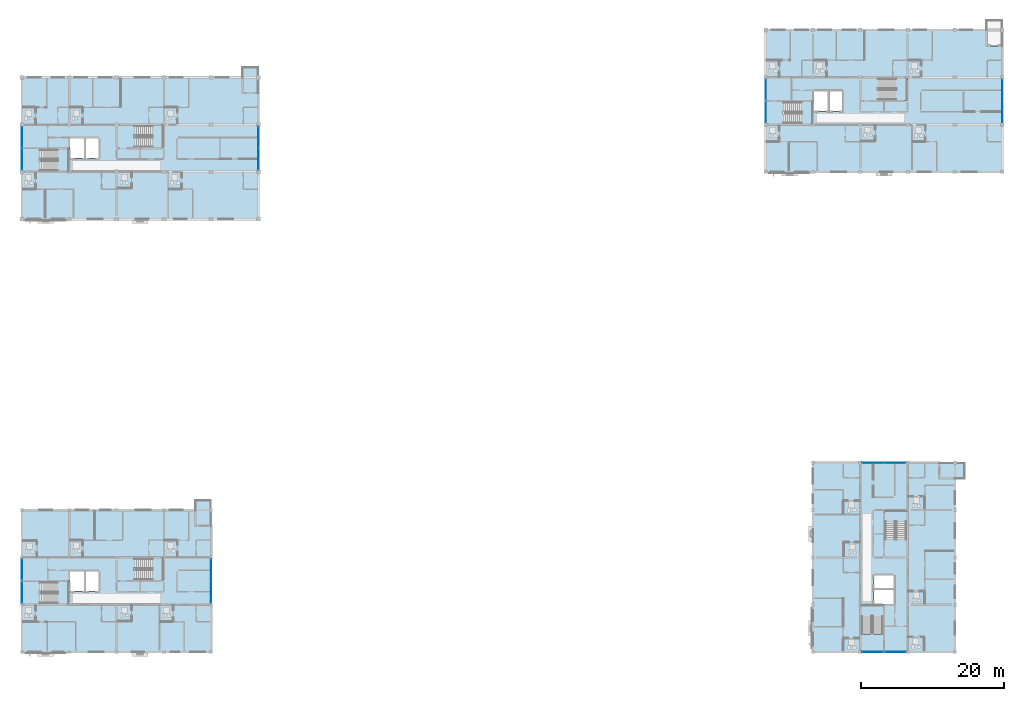
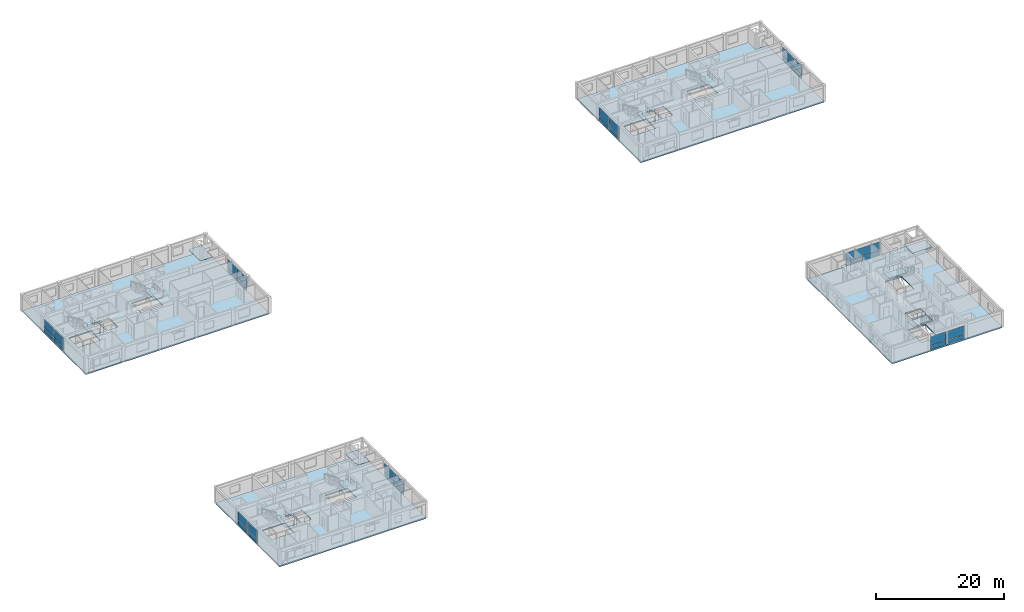
# One storey, part 25 of 53: 32 plates, 15 slabs, 20 elements without a shape of their own.
"""IFC4 building model written with IfcOpenShell, lengths in metres."""

from ifc_helpers import new_model, si_unit, direction, frame, origin, origin_2d, place, context, subcontext, project, spatial, polyline, rectangle, outline, extrude, material, layer, layer_set, type_object, element, aggregate, save


model = new_model("IFC4")

# Units and contexts
model_context = context("Model", 3, precision=1e-05, world=origin(), true_north=direction((0.0, 1.0)))
body_context = subcontext(model_context, "Body", "Model", "MODEL_VIEW")
ifc_project = project(units=[si_unit("LENGTHUNIT", "METRE"), si_unit("AREAUNIT", "SQUARE_METRE"), si_unit("VOLUMEUNIT", "CUBIC_METRE"), si_unit("PLANEANGLEUNIT", "RADIAN"), si_unit("MASSUNIT", "GRAM", prefix="KILO")], contexts=[model_context])

# Site, building, storey
site_placement = place(None, origin())
site = spatial("IfcSite", under=ifc_project, at=site_placement, CompositionType="ELEMENT")
building_placement = place(site_placement, origin())
building = spatial("IfcBuilding", under=site, at=building_placement, Name="Kernevlak Ridge Housing Community", CompositionType="ELEMENT")
storey_placement = place(building_placement, frame((0.0, 0.0, 18.0)))
storey = spatial("IfcBuildingStorey", under=building, at=storey_placement, Name="L05", CompositionType="ELEMENT", Elevation=18.0)

# Curtain wall, plates
ifc_material_1 = material(Name="Aluminium EN AW-6060 anodised and laminated glass", Category="aluminium")
curtain_wall_type_1 = type_object("IfcCurtainWallType", Name="CW-01", PredefinedType="NOTDEFINED", material=ifc_material_1)
curtain_wall_1_placement = place(storey_placement, origin())
curtain_wall_1 = element("IfcCurtainWall", 1, at=curtain_wall_1_placement, inside=storey, type_object=curtain_wall_type_1, Name="Curtain wall CW-01 CW-L05-117", PredefinedType="NOTDEFINED")
ifc_material_2 = material(Name="Aluminium EN AW-5005 enamelled panel", Category="aluminium")
ifc_layer_1 = layer(ifc_material_2, 0.033935546875, Name="Aluminium EN AW-5005 enamelled panel")
ifc_layer_set_1 = layer_set([ifc_layer_1], Name="Aluminium EN AW-5005 enamelled panel")
plate_type_1 = type_object("IfcPlateType", Name="CP-03", PredefinedType="CURTAIN_PANEL", material=ifc_layer_set_1)
plate_1_placement = place(storey_placement, frame((134.376220703125, 42.0, 0.054931640625), z_axis=(0.0, 0.0, 1.0), x_axis=(1.0, 0.0, 0.0)))
plate_1 = element("IfcPlate", 2, at=plate_1_placement, type_object=plate_type_1, Name="CW-01 panel 1.1", PredefinedType="CURTAIN_PANEL", context=body_context, shape_type="SweptSolid", body=[
    extrude(rectangle(XDim=2.992431640625, YDim=0.033935546875, at=origin_2d()), origin(), (0.0, 0.0, 1.0), 0.767578125),
])
plate_2_placement = place(storey_placement, frame((137.423828125, 42.0, 0.054931640625), z_axis=(0.0, 0.0, 1.0), x_axis=(1.0, 0.0, 0.0)))
plate_2 = element("IfcPlate", 3, at=plate_2_placement, type_object=plate_type_1, Name="CW-01 panel 2.1", PredefinedType="CURTAIN_PANEL", context=body_context, shape_type="SweptSolid", body=[
    extrude(rectangle(XDim=2.992431640625, YDim=0.033935546875, at=origin_2d()), origin(), (0.0, 0.0, 1.0), 0.767578125),
])

# Curtain wall, plate
curtain_wall_2_placement = place(storey_placement, origin())
curtain_wall_2 = element("IfcCurtainWall", 4, at=curtain_wall_2_placement, inside=storey, type_object=curtain_wall_type_1, Name="Curtain wall CW-01 CW-L05-155", PredefinedType="NOTDEFINED")
plate_3_placement = place(storey_placement, frame((15.60009765625, 27.10498046875, 0.06494140625), z_axis=(0.0, 0.0, 1.0), x_axis=(0.0, 1.0, 0.0)))
plate_3 = element("IfcPlate", 5, at=plate_3_placement, type_object=plate_type_1, Name="CW-01 panel 1.1", PredefinedType="CURTAIN_PANEL", context=body_context, shape_type="SweptSolid", body=[
    extrude(rectangle(XDim=2.860107421875, YDim=0.033935546875, at=origin_2d()), origin(), (0.0, 0.0, 1.0), 0.75244140625),
])

curtain_wall_3_placement = place(storey_placement, origin())
curtain_wall_3 = element("IfcCurtainWall", 6, at=curtain_wall_3_placement, inside=storey, type_object=curtain_wall_type_1, Name="Curtain wall CW-01 CW-L05-016", PredefinedType="NOTDEFINED")
ifc_layer_2 = layer(ifc_material_2, 0.0380859375, Name="Aluminium EN AW-5005 enamelled panel")
ifc_layer_set_2 = layer_set([ifc_layer_2], Name="Aluminium EN AW-5005 enamelled panel")
plate_type_2 = type_object("IfcPlateType", Name="CP-04", PredefinedType="CURTAIN_PANEL", material=ifc_layer_set_2)
plate_4_placement = place(storey_placement, frame((15.60009765625, 84.33251953125, 0.06005859375), z_axis=(0.0, 0.0, 1.0), x_axis=(0.0, 1.0, 0.0)))
plate_4 = element("IfcPlate", 7, at=plate_4_placement, type_object=plate_type_2, Name="CW-01 panel 1.1", PredefinedType="CURTAIN_PANEL", context=body_context, shape_type="SweptSolid", body=[
    extrude(rectangle(XDim=2.794921875, YDim=0.0380859375, at=origin_2d()), origin(), (0.0, 0.0, 1.0), 0.760009765625),
])

# Curtain wall, plates
curtain_wall_type_2 = type_object("IfcCurtainWallType", Name="CW-03", PredefinedType="NOTDEFINED", material=ifc_material_1)
curtain_wall_4_placement = place(storey_placement, origin())
curtain_wall_4 = element("IfcCurtainWall", 8, at=curtain_wall_4_placement, inside=storey, type_object=curtain_wall_type_2, Name="Curtain wall CW-03 CW-L05-156", PredefinedType="NOTDEFINED")
plate_5_placement = place(storey_placement, frame((42.0, 23.9638671875, 0.054931640625), z_axis=(0.0, 0.0, 1.0), x_axis=(0.0, 1.0, 0.0)))
plate_5 = element("IfcPlate", 9, at=plate_5_placement, type_object=plate_type_2, Name="CW-03 panel 1.1", PredefinedType="CURTAIN_PANEL", context=body_context, shape_type="SweptSolid", body=[
    extrude(rectangle(XDim=3.017578125, YDim=0.0380859375, at=origin_2d()), origin(), (0.0, 0.0, 1.0), 0.767578125),
])
plate_6_placement = place(storey_placement, frame((42.0, 27.0361328125, 0.054931640625), z_axis=(0.0, 0.0, 1.0), x_axis=(0.0, 1.0, 0.0)))
plate_6 = element("IfcPlate", 10, at=plate_6_placement, type_object=plate_type_2, Name="CW-03 panel 2.1", PredefinedType="CURTAIN_PANEL", context=body_context, shape_type="SweptSolid", body=[
    extrude(rectangle(XDim=3.017578125, YDim=0.0380859375, at=origin_2d()), origin(), (0.0, 0.0, 1.0), 0.767578125),
])

# Curtain wall, plate
curtain_wall_type_3 = type_object("IfcCurtainWallType", Name="CW-06", PredefinedType="NOTDEFINED", material=ifc_material_1)
curtain_wall_5_placement = place(storey_placement, origin())
curtain_wall_5 = element("IfcCurtainWall", 11, at=curtain_wall_5_placement, inside=storey, type_object=curtain_wall_type_3, Name="Curtain wall CW-06 CW-L05-017", PredefinedType="NOTDEFINED")
ifc_layer_3 = layer(ifc_material_2, 0.0419921875, Name="Aluminium EN AW-5005 enamelled panel")
ifc_layer_set_3 = layer_set([ifc_layer_3], Name="Aluminium EN AW-5005 enamelled panel")
plate_type_3 = type_object("IfcPlateType", Name="CP-05", PredefinedType="CURTAIN_PANEL", material=ifc_layer_set_3)
plate_7_placement = place(storey_placement, frame((15.60009765625, 87.467529296875, 0.06494140625), z_axis=(0.0, 0.0, 1.0), x_axis=(0.0, 1.0, 0.0)))
plate_7 = element("IfcPlate", 12, at=plate_7_placement, type_object=plate_type_3, Name="CW-06 panel 1.1", PredefinedType="CURTAIN_PANEL", context=body_context, shape_type="SweptSolid", body=[
    extrude(rectangle(XDim=2.784912109375, YDim=0.0419921875, at=origin_2d()), origin(), (0.0, 0.0, 1.0), 0.75244140625),
])

curtain_wall_type_4 = type_object("IfcCurtainWallType", Name="CW-04", PredefinedType="NOTDEFINED", material=ifc_material_1)
curtain_wall_6_placement = place(storey_placement, origin())
curtain_wall_6 = element("IfcCurtainWall", 13, at=curtain_wall_6_placement, inside=storey, type_object=curtain_wall_type_4, Name="Curtain wall CW-04 CW-L05-070", PredefinedType="NOTDEFINED")
plate_8_placement = place(storey_placement, frame((119.39990234375, 90.919921875, 0.06005859375), z_axis=(0.0, 0.0, 1.0), x_axis=(0.0, 1.0, 0.0)))
plate_8 = element("IfcPlate", 14, at=plate_8_placement, type_object=plate_type_3, Name="CW-04 panel 1.1", PredefinedType="CURTAIN_PANEL", context=body_context, shape_type="SweptSolid", body=[
    extrude(rectangle(XDim=2.820068359375, YDim=0.0419921875, at=origin_2d()), origin(), (0.0, 0.0, 1.0), 0.760009765625),
])

# Curtain wall, plates
curtain_wall_type_5 = type_object("IfcCurtainWallType", Name="CW-11", PredefinedType="NOTDEFINED", material=ifc_material_1)
curtain_wall_7_placement = place(storey_placement, origin())
curtain_wall_7 = element("IfcCurtainWall", 15, at=curtain_wall_7_placement, inside=storey, type_object=curtain_wall_type_5, Name="Curtain wall CW-11 CW-L05-018", PredefinedType="NOTDEFINED")
ifc_material_3 = material(Name="Aluminium EN AW-5005 insulated panel", Category="aluminium")
ifc_layer_4 = layer(ifc_material_3, 0.0458984375, Name="Aluminium EN AW-5005 insulated panel")
ifc_layer_set_4 = layer_set([ifc_layer_4], Name="Aluminium EN AW-5005 insulated panel")
plate_type_4 = type_object("IfcPlateType", Name="CP-06", PredefinedType="CURTAIN_PANEL", material=ifc_layer_set_4)
plate_9_placement = place(storey_placement, frame((48.60009765625, 84.4013671875, 0.054931640625), z_axis=(0.0, 0.0, 1.0), x_axis=(0.0, 1.0, 0.0)))
plate_9 = element("IfcPlate", 16, at=plate_9_placement, type_object=plate_type_4, Name="CW-11 panel 1.1", PredefinedType="CURTAIN_PANEL", context=body_context, shape_type="SweptSolid", body=[
    extrude(rectangle(XDim=2.9423828125, YDim=0.0458984375, at=origin_2d()), origin(), (0.0, 0.0, 1.0), 0.767578125),
])
plate_10_placement = place(storey_placement, frame((48.60009765625, 87.398681640625, 0.054931640625), z_axis=(0.0, 0.0, 1.0), x_axis=(0.0, 1.0, 0.0)))
plate_10 = element("IfcPlate", 17, at=plate_10_placement, type_object=plate_type_4, Name="CW-11 panel 2.1", PredefinedType="CURTAIN_PANEL", context=body_context, shape_type="SweptSolid", body=[
    extrude(rectangle(XDim=2.9423828125, YDim=0.0458984375, at=origin_2d()), origin(), (0.0, 0.0, 1.0), 0.767578125),
])

# Curtain wall, plate
curtain_wall_type_6 = type_object("IfcCurtainWallType", Name="CW-09", PredefinedType="NOTDEFINED", material=ifc_material_1)
curtain_wall_8_placement = place(storey_placement, origin())
curtain_wall_8 = element("IfcCurtainWall", 18, at=curtain_wall_8_placement, inside=storey, type_object=curtain_wall_type_6, Name="Curtain wall CW-09 CW-L05-071", PredefinedType="NOTDEFINED")
plate_11_placement = place(storey_placement, frame((119.39990234375, 94.080078125, 0.06494140625), z_axis=(0.0, 0.0, 1.0), x_axis=(0.0, 1.0, 0.0)))
plate_11 = element("IfcPlate", 19, at=plate_11_placement, type_object=plate_type_4, Name="CW-09 panel 1.1", PredefinedType="CURTAIN_PANEL", context=body_context, shape_type="SweptSolid", body=[
    extrude(rectangle(XDim=2.81005859375, YDim=0.0458984375, at=origin_2d()), origin(), (0.0, 0.0, 1.0), 0.75244140625),
])

curtain_wall_type_7 = type_object("IfcCurtainWallType", Name="CW-07", PredefinedType="NOTDEFINED", material=ifc_material_1)
curtain_wall_9_placement = place(storey_placement, origin())
curtain_wall_9 = element("IfcCurtainWall", 20, at=curtain_wall_9_placement, inside=storey, type_object=curtain_wall_type_7, Name="Curtain wall CW-07 CW-L05-115", PredefinedType="NOTDEFINED")
plate_12_placement = place(storey_placement, frame((134.3076171875, 15.60009765625, 0.06005859375), z_axis=(0.0, 0.0, 1.0), x_axis=(1.0, 0.0, 0.0)))
plate_12 = element("IfcPlate", 21, at=plate_12_placement, type_object=plate_type_4, Name="CW-07 panel 1.1", PredefinedType="CURTAIN_PANEL", context=body_context, shape_type="SweptSolid", body=[
    extrude(rectangle(XDim=2.844970703125, YDim=0.0458984375, at=origin_2d()), origin(), (0.0, 0.0, 1.0), 0.760009765625),
])

# Curtain wall, plates
curtain_wall_type_8 = type_object("IfcCurtainWallType", Name="CW-13", PredefinedType="NOTDEFINED", material=ifc_material_1)
curtain_wall_10_placement = place(storey_placement, origin())
curtain_wall_10 = element("IfcCurtainWall", 22, at=curtain_wall_10_placement, inside=storey, type_object=curtain_wall_type_8, Name="Curtain wall CW-13 CW-L05-072", PredefinedType="NOTDEFINED")
ifc_layer_5 = layer(ifc_material_3, 0.050048828125, Name="Aluminium EN AW-5005 insulated panel")
ifc_layer_set_5 = layer_set([ifc_layer_5], Name="Aluminium EN AW-5005 insulated panel")
plate_type_5 = type_object("IfcPlateType", Name="CP-07", PredefinedType="CURTAIN_PANEL", material=ifc_layer_set_5)
plate_13_placement = place(storey_placement, frame((152.39990234375, 90.98876953125, 0.054931640625), z_axis=(0.0, 0.0, 1.0), x_axis=(0.0, 1.0, 0.0)))
plate_13 = element("IfcPlate", 23, at=plate_13_placement, type_object=plate_type_5, Name="CW-13 panel 1.1", PredefinedType="CURTAIN_PANEL", context=body_context, shape_type="SweptSolid", body=[
    extrude(rectangle(XDim=2.967529296875, YDim=0.050048828125, at=origin_2d()), origin(), (0.0, 0.0, 1.0), 0.767578125),
])
plate_14_placement = place(storey_placement, frame((152.39990234375, 94.01123046875, 0.054931640625), z_axis=(0.0, 0.0, 1.0), x_axis=(0.0, 1.0, 0.0)))
plate_14 = element("IfcPlate", 24, at=plate_14_placement, type_object=plate_type_5, Name="CW-13 panel 2.1", PredefinedType="CURTAIN_PANEL", context=body_context, shape_type="SweptSolid", body=[
    extrude(rectangle(XDim=2.967529296875, YDim=0.050048828125, at=origin_2d()), origin(), (0.0, 0.0, 1.0), 0.767578125),
])

# Curtain wall, plate
curtain_wall_type_9 = type_object("IfcCurtainWallType", Name="CW-12", PredefinedType="NOTDEFINED", material=ifc_material_1)
curtain_wall_11_placement = place(storey_placement, origin())
curtain_wall_11 = element("IfcCurtainWall", 25, at=curtain_wall_11_placement, inside=storey, type_object=curtain_wall_type_9, Name="Curtain wall CW-12 CW-L05-116", PredefinedType="NOTDEFINED")
plate_15_placement = place(storey_placement, frame((137.492431640625, 15.60009765625, 0.06494140625), z_axis=(0.0, 0.0, 1.0), x_axis=(1.0, 0.0, 0.0)))
plate_15 = element("IfcPlate", 26, at=plate_15_placement, type_object=plate_type_5, Name="CW-12 panel 1.1", PredefinedType="CURTAIN_PANEL", context=body_context, shape_type="SweptSolid", body=[
    extrude(rectangle(XDim=2.8349609375, YDim=0.050048828125, at=origin_2d()), origin(), (0.0, 0.0, 1.0), 0.75244140625),
])

curtain_wall_type_10 = type_object("IfcCurtainWallType", Name="CW-10", PredefinedType="NOTDEFINED", material=ifc_material_1)
curtain_wall_12_placement = place(storey_placement, origin())
curtain_wall_12 = element("IfcCurtainWall", 27, at=curtain_wall_12_placement, inside=storey, type_object=curtain_wall_type_10, Name="Curtain wall CW-10 CW-L05-154", PredefinedType="NOTDEFINED")
plate_16_placement = place(storey_placement, frame((15.60009765625, 23.89501953125, 0.06005859375), z_axis=(0.0, 0.0, 1.0), x_axis=(0.0, 1.0, 0.0)))
plate_16 = element("IfcPlate", 28, at=plate_16_placement, type_object=plate_type_5, Name="CW-10 panel 1.1", PredefinedType="CURTAIN_PANEL", context=body_context, shape_type="SweptSolid", body=[
    extrude(rectangle(XDim=2.8701171875, YDim=0.050048828125, at=origin_2d()), origin(), (0.0, 0.0, 1.0), 0.760009765625),
])

# Plate
ifc_material_4 = material(Name="Low-iron clear staircase glazing panel", Category="glass")
ifc_layer_6 = layer(ifc_material_4, 0.031982421875, Name="Low-iron clear staircase glazing panel")
ifc_layer_set_6 = layer_set([ifc_layer_6], Name="Low-iron clear staircase glazing panel")
plate_type_6 = type_object("IfcPlateType", Name="CP-08", PredefinedType="CURTAIN_PANEL", material=ifc_layer_set_6)
plate_17_placement = place(storey_placement, frame((15.60009765625, 84.33251953125, 0.8798828125), z_axis=(0.0, 0.0, 1.0), x_axis=(0.0, 1.0, 0.0)))
plate_17 = element("IfcPlate", 29, at=plate_17_placement, type_object=plate_type_6, Name="CW-01 panel 1.2", PredefinedType="CURTAIN_PANEL", context=body_context, shape_type="SweptSolid", body=[
    extrude(rectangle(XDim=2.794921875, YDim=0.031982421875, at=origin_2d()), origin(), (0.0, 0.0, 1.0), 1.659912109375),
])

aggregate(curtain_wall_3, [plate_4, plate_17])

plate_18_placement = place(storey_placement, frame((15.60009765625, 87.467529296875, 0.88232421875), z_axis=(0.0, 0.0, 1.0), x_axis=(0.0, 1.0, 0.0)))
plate_18 = element("IfcPlate", 30, at=plate_18_placement, type_object=plate_type_6, Name="CW-06 panel 1.2", PredefinedType="CURTAIN_PANEL", context=body_context, shape_type="SweptSolid", body=[
    extrude(rectangle(XDim=2.784912109375, YDim=0.031982421875, at=origin_2d()), origin(), (0.0, 0.0, 1.0), 1.652587890625),
])

aggregate(curtain_wall_5, [plate_7, plate_18])

plate_19_placement = place(storey_placement, frame((48.60009765625, 84.4013671875, 0.87744140625), z_axis=(0.0, 0.0, 1.0), x_axis=(0.0, 1.0, 0.0)))
plate_19 = element("IfcPlate", 31, at=plate_19_placement, type_object=plate_type_6, Name="CW-11 panel 1.2", PredefinedType="CURTAIN_PANEL", context=body_context, shape_type="SweptSolid", body=[
    extrude(rectangle(XDim=2.9423828125, YDim=0.031982421875, at=origin_2d()), origin(), (0.0, 0.0, 1.0), 1.66748046875),
])

plate_20_placement = place(storey_placement, frame((48.60009765625, 87.398681640625, 0.87744140625), z_axis=(0.0, 0.0, 1.0), x_axis=(0.0, 1.0, 0.0)))
plate_20 = element("IfcPlate", 32, at=plate_20_placement, type_object=plate_type_6, Name="CW-11 panel 2.2", PredefinedType="CURTAIN_PANEL", context=body_context, shape_type="SweptSolid", body=[
    extrude(rectangle(XDim=2.9423828125, YDim=0.031982421875, at=origin_2d()), origin(), (0.0, 0.0, 1.0), 1.66748046875),
])

aggregate(curtain_wall_7, [plate_9, plate_19, plate_10, plate_20])

plate_21_placement = place(storey_placement, frame((119.39990234375, 90.919921875, 0.8798828125), z_axis=(0.0, 0.0, 1.0), x_axis=(0.0, 1.0, 0.0)))
plate_21 = element("IfcPlate", 33, at=plate_21_placement, type_object=plate_type_6, Name="CW-04 panel 1.2", PredefinedType="CURTAIN_PANEL", context=body_context, shape_type="SweptSolid", body=[
    extrude(rectangle(XDim=2.820068359375, YDim=0.031982421875, at=origin_2d()), origin(), (0.0, 0.0, 1.0), 1.659912109375),
])

aggregate(curtain_wall_6, [plate_8, plate_21])

plate_22_placement = place(storey_placement, frame((119.39990234375, 94.080078125, 0.88232421875), z_axis=(0.0, 0.0, 1.0), x_axis=(0.0, 1.0, 0.0)))
plate_22 = element("IfcPlate", 34, at=plate_22_placement, type_object=plate_type_6, Name="CW-09 panel 1.2", PredefinedType="CURTAIN_PANEL", context=body_context, shape_type="SweptSolid", body=[
    extrude(rectangle(XDim=2.81005859375, YDim=0.031982421875, at=origin_2d()), origin(), (0.0, 0.0, 1.0), 1.652587890625),
])

aggregate(curtain_wall_8, [plate_11, plate_22])

plate_23_placement = place(storey_placement, frame((152.39990234375, 90.98876953125, 0.87744140625), z_axis=(0.0, 0.0, 1.0), x_axis=(0.0, 1.0, 0.0)))
plate_23 = element("IfcPlate", 35, at=plate_23_placement, type_object=plate_type_6, Name="CW-13 panel 1.2", PredefinedType="CURTAIN_PANEL", context=body_context, shape_type="SweptSolid", body=[
    extrude(rectangle(XDim=2.967529296875, YDim=0.031982421875, at=origin_2d()), origin(), (0.0, 0.0, 1.0), 1.66748046875),
])

plate_24_placement = place(storey_placement, frame((152.39990234375, 94.01123046875, 0.87744140625), z_axis=(0.0, 0.0, 1.0), x_axis=(0.0, 1.0, 0.0)))
plate_24 = element("IfcPlate", 36, at=plate_24_placement, type_object=plate_type_6, Name="CW-13 panel 2.2", PredefinedType="CURTAIN_PANEL", context=body_context, shape_type="SweptSolid", body=[
    extrude(rectangle(XDim=2.967529296875, YDim=0.031982421875, at=origin_2d()), origin(), (0.0, 0.0, 1.0), 1.66748046875),
])

aggregate(curtain_wall_10, [plate_13, plate_23, plate_14, plate_24])

plate_25_placement = place(storey_placement, frame((134.3076171875, 15.60009765625, 0.8798828125), z_axis=(0.0, 0.0, 1.0), x_axis=(1.0, 0.0, 0.0)))
plate_25 = element("IfcPlate", 37, at=plate_25_placement, type_object=plate_type_6, Name="CW-07 panel 1.2", PredefinedType="CURTAIN_PANEL", context=body_context, shape_type="SweptSolid", body=[
    extrude(rectangle(XDim=2.844970703125, YDim=0.031982421875, at=origin_2d()), origin(), (0.0, 0.0, 1.0), 1.659912109375),
])

aggregate(curtain_wall_9, [plate_12, plate_25])

plate_26_placement = place(storey_placement, frame((137.492431640625, 15.60009765625, 0.88232421875), z_axis=(0.0, 0.0, 1.0), x_axis=(1.0, 0.0, 0.0)))
plate_26 = element("IfcPlate", 38, at=plate_26_placement, type_object=plate_type_6, Name="CW-12 panel 1.2", PredefinedType="CURTAIN_PANEL", context=body_context, shape_type="SweptSolid", body=[
    extrude(rectangle(XDim=2.8349609375, YDim=0.031982421875, at=origin_2d()), origin(), (0.0, 0.0, 1.0), 1.652587890625),
])

aggregate(curtain_wall_11, [plate_15, plate_26])

plate_27_placement = place(storey_placement, frame((134.376220703125, 42.0, 0.87744140625), z_axis=(0.0, 0.0, 1.0), x_axis=(1.0, 0.0, 0.0)))
plate_27 = element("IfcPlate", 39, at=plate_27_placement, type_object=plate_type_6, Name="CW-01 panel 1.2", PredefinedType="CURTAIN_PANEL", context=body_context, shape_type="SweptSolid", body=[
    extrude(rectangle(XDim=2.992431640625, YDim=0.031982421875, at=origin_2d()), origin(), (0.0, 0.0, 1.0), 1.66748046875),
])

plate_28_placement = place(storey_placement, frame((137.423828125, 42.0, 0.87744140625), z_axis=(0.0, 0.0, 1.0), x_axis=(1.0, 0.0, 0.0)))
plate_28 = element("IfcPlate", 40, at=plate_28_placement, type_object=plate_type_6, Name="CW-01 panel 2.2", PredefinedType="CURTAIN_PANEL", context=body_context, shape_type="SweptSolid", body=[
    extrude(rectangle(XDim=2.992431640625, YDim=0.031982421875, at=origin_2d()), origin(), (0.0, 0.0, 1.0), 1.66748046875),
])

aggregate(curtain_wall_1, [plate_1, plate_27, plate_2, plate_28])

plate_29_placement = place(storey_placement, frame((15.60009765625, 23.89501953125, 0.8798828125), z_axis=(0.0, 0.0, 1.0), x_axis=(0.0, 1.0, 0.0)))
plate_29 = element("IfcPlate", 41, at=plate_29_placement, type_object=plate_type_6, Name="CW-10 panel 1.2", PredefinedType="CURTAIN_PANEL", context=body_context, shape_type="SweptSolid", body=[
    extrude(rectangle(XDim=2.8701171875, YDim=0.031982421875, at=origin_2d()), origin(), (0.0, 0.0, 1.0), 1.659912109375),
])

aggregate(curtain_wall_12, [plate_16, plate_29])

plate_30_placement = place(storey_placement, frame((15.60009765625, 27.10498046875, 0.88232421875), z_axis=(0.0, 0.0, 1.0), x_axis=(0.0, 1.0, 0.0)))
plate_30 = element("IfcPlate", 42, at=plate_30_placement, type_object=plate_type_6, Name="CW-01 panel 1.2", PredefinedType="CURTAIN_PANEL", context=body_context, shape_type="SweptSolid", body=[
    extrude(rectangle(XDim=2.860107421875, YDim=0.031982421875, at=origin_2d()), origin(), (0.0, 0.0, 1.0), 1.652587890625),
])

aggregate(curtain_wall_2, [plate_3, plate_30])

plate_31_placement = place(storey_placement, frame((42.0, 23.9638671875, 0.87744140625), z_axis=(0.0, 0.0, 1.0), x_axis=(0.0, 1.0, 0.0)))
plate_31 = element("IfcPlate", 43, at=plate_31_placement, type_object=plate_type_6, Name="CW-03 panel 1.2", PredefinedType="CURTAIN_PANEL", context=body_context, shape_type="SweptSolid", body=[
    extrude(rectangle(XDim=3.017578125, YDim=0.031982421875, at=origin_2d()), origin(), (0.0, 0.0, 1.0), 1.66748046875),
])

plate_32_placement = place(storey_placement, frame((42.0, 27.0361328125, 0.87744140625), z_axis=(0.0, 0.0, 1.0), x_axis=(0.0, 1.0, 0.0)))
plate_32 = element("IfcPlate", 44, at=plate_32_placement, type_object=plate_type_6, Name="CW-03 panel 2.2", PredefinedType="CURTAIN_PANEL", context=body_context, shape_type="SweptSolid", body=[
    extrude(rectangle(XDim=3.017578125, YDim=0.031982421875, at=origin_2d()), origin(), (0.0, 0.0, 1.0), 1.66748046875),
])

aggregate(curtain_wall_4, [plate_5, plate_31, plate_6, plate_32])

# Slabs
ifc_material_5 = material(Name="Concrete C35/45", Category="concrete")
ifc_layer_7 = layer(ifc_material_5, 0.239990234375, Name="Concrete C35/45")
ifc_layer_set_7 = layer_set([ifc_layer_7], Name="Concrete C35/45")
slab_type_1 = type_object("IfcSlabType", Name="SL-03", PredefinedType="FLOOR", material=ifc_layer_set_7)
slab_1_placement = place(storey_placement, frame((0.0, 0.0, -0.239990234375)))
element("IfcSlab", 45, at=slab_1_placement, inside=storey, type_object=slab_type_1, Name="Block A level L05 floor slab", PredefinedType="FLOOR", context=body_context, shape_type="SweptSolid", body=[
    extrude(outline(polyline([(15.60009765625, 76.0), (48.60009765625, 76.0), (48.60009765625, 93.60009765625), (46.39990234375, 93.60009765625), (46.39990234375, 95.800048828125), (15.60009765625, 95.800048828125), (15.60009765625, 76.0)]), holes=[polyline([(18.139892578125, 85.75), (22.1201171875, 85.75), (22.1201171875, 82.75), (18.139892578125, 82.75), (18.139892578125, 85.75)]), polyline([(31.340087890625, 89.050048828125), (35.320068359375, 89.050048828125), (35.320068359375, 86.050048828125), (31.340087890625, 86.050048828125), (31.340087890625, 89.050048828125)]), polyline([(22.320068359375, 87.280029296875), (24.280029296875, 87.280029296875), (24.280029296875, 84.52001953125), (22.320068359375, 84.52001953125), (22.320068359375, 87.280029296875)]), polyline([(24.52001953125, 87.280029296875), (26.280029296875, 87.280029296875), (26.280029296875, 84.52001953125), (24.52001953125, 84.52001953125), (24.52001953125, 87.280029296875)])]), origin(), (0.0, 0.0, 1.0), 0.239990234375),
])
slab_2_placement = place(storey_placement, frame((0.0, 0.0, -0.239990234375)))
element("IfcSlab", 46, at=slab_2_placement, inside=storey, type_object=slab_type_1, Name="Block B level L05 floor slab", PredefinedType="FLOOR", context=body_context, shape_type="SweptSolid", body=[
    extrude(outline(polyline([(119.39990234375, 82.60009765625), (152.39990234375, 82.60009765625), (152.39990234375, 100.199951171875), (150.199951171875, 100.199951171875), (150.199951171875, 102.39990234375), (119.39990234375, 102.39990234375), (119.39990234375, 82.60009765625)]), holes=[polyline([(121.93994140625, 92.35009765625), (125.919921875, 92.35009765625), (125.919921875, 89.35009765625), (121.93994140625, 89.35009765625), (121.93994140625, 92.35009765625)]), polyline([(135.139892578125, 95.64990234375), (139.1201171875, 95.64990234375), (139.1201171875, 92.64990234375), (135.139892578125, 92.64990234375), (135.139892578125, 95.64990234375)]), polyline([(126.1201171875, 93.8798828125), (128.080078125, 93.8798828125), (128.080078125, 91.1201171875), (126.1201171875, 91.1201171875), (126.1201171875, 93.8798828125)]), polyline([(128.320068359375, 93.8798828125), (130.080078125, 93.8798828125), (130.080078125, 91.1201171875), (128.320068359375, 91.1201171875), (128.320068359375, 93.8798828125)])]), origin(), (0.0, 0.0, 1.0), 0.239990234375),
])
slab_3_placement = place(storey_placement, frame((0.0, 0.0, -0.239990234375)))
element("IfcSlab", 47, at=slab_3_placement, inside=storey, type_object=slab_type_1, Name="Block C level L05 floor slab", PredefinedType="FLOOR", context=body_context, shape_type="SweptSolid", body=[
    extrude(outline(polyline([(145.800048828125, 15.60009765625), (145.800048828125, 39.800048828125), (143.60009765625, 39.800048828125), (143.60009765625, 42.0), (126.0, 42.0), (126.0, 15.60009765625), (145.800048828125, 15.60009765625)]), holes=[polyline([(132.75, 18.139892578125), (132.75, 22.1201171875), (135.75, 22.1201171875), (135.75, 18.139892578125), (132.75, 18.139892578125)]), polyline([(136.050048828125, 31.340087890625), (136.050048828125, 35.320068359375), (139.050048828125, 35.320068359375), (139.050048828125, 31.340087890625), (136.050048828125, 31.340087890625)]), polyline([(134.52001953125, 24.280029296875), (137.280029296875, 24.280029296875), (137.280029296875, 22.320068359375), (134.52001953125, 22.320068359375), (134.52001953125, 24.280029296875)]), polyline([(134.52001953125, 26.280029296875), (137.280029296875, 26.280029296875), (137.280029296875, 24.52001953125), (134.52001953125, 24.52001953125), (134.52001953125, 26.280029296875)])]), origin(), (0.0, 0.0, 1.0), 0.239990234375),
])
slab_4_placement = place(storey_placement, frame((0.0, 0.0, -0.239990234375)))
element("IfcSlab", 48, at=slab_4_placement, inside=storey, type_object=slab_type_1, Name="Block D level L05 floor slab", PredefinedType="FLOOR", context=body_context, shape_type="SweptSolid", body=[
    extrude(outline(polyline([(15.60009765625, 15.60009765625), (42.0, 15.60009765625), (42.0, 33.199951171875), (39.800048828125, 33.199951171875), (39.800048828125, 35.39990234375), (15.60009765625, 35.39990234375), (15.60009765625, 15.60009765625)]), holes=[polyline([(18.139892578125, 25.35009765625), (22.1201171875, 25.35009765625), (22.1201171875, 22.35009765625), (18.139892578125, 22.35009765625), (18.139892578125, 25.35009765625)]), polyline([(31.340087890625, 28.64990234375), (35.320068359375, 28.64990234375), (35.320068359375, 25.64990234375), (31.340087890625, 25.64990234375), (31.340087890625, 28.64990234375)]), polyline([(22.320068359375, 26.8798828125), (24.280029296875, 26.8798828125), (24.280029296875, 24.1201171875), (22.320068359375, 24.1201171875), (22.320068359375, 26.8798828125)]), polyline([(24.52001953125, 26.8798828125), (26.280029296875, 26.8798828125), (26.280029296875, 24.1201171875), (24.52001953125, 24.1201171875), (24.52001953125, 26.8798828125)])]), origin(), (0.0, 0.0, 1.0), 0.239990234375),
])
ifc_layer_8 = layer(ifc_material_5, 0.199951171875, Name="Concrete C35/45")
ifc_layer_set_8 = layer_set([ifc_layer_8], Name="Concrete C35/45")
slab_type_2 = type_object("IfcSlabType", Name="SL-05", PredefinedType="FLOOR", material=ifc_layer_set_8)
slab_5_placement = place(storey_placement, frame((0.0, 0.0, -0.199951171875)))
element("IfcSlab", 49, at=slab_5_placement, inside=storey, type_object=slab_type_2, Name="Block A L05 corner balcony deck slab", PredefinedType="FLOOR", context=body_context, shape_type="SweptSolid", body=[
    extrude(outline(polyline([(46.39990234375, 93.60009765625), (48.60009765625, 93.60009765625), (48.60009765625, 97.199951171875), (46.39990234375, 97.199951171875), (46.39990234375, 93.60009765625)])), origin(), (0.0, 0.0, 1.0), 0.199951171875),
])
slab_6_placement = place(storey_placement, frame((0.0, 0.0, -0.199951171875)))
element("IfcSlab", 50, at=slab_6_placement, inside=storey, type_object=slab_type_2, Name="Block C L05 corner balcony deck slab", PredefinedType="FLOOR", context=body_context, shape_type="SweptSolid", body=[
    extrude(outline(polyline([(147.199951171875, 39.800048828125), (147.199951171875, 42.0), (143.60009765625, 42.0), (143.60009765625, 39.800048828125), (147.199951171875, 39.800048828125)])), origin(), (0.0, 0.0, 1.0), 0.199951171875),
])
slab_7_placement = place(storey_placement, frame((0.0, 0.0, -0.199951171875)))
element("IfcSlab", 51, at=slab_7_placement, inside=storey, type_object=slab_type_2, Name="Block D L05 corner balcony deck slab", PredefinedType="FLOOR", context=body_context, shape_type="SweptSolid", body=[
    extrude(outline(polyline([(39.800048828125, 33.199951171875), (42.0, 33.199951171875), (42.0, 36.800048828125), (39.800048828125, 36.800048828125), (39.800048828125, 33.199951171875)])), origin(), (0.0, 0.0, 1.0), 0.199951171875),
])

# Stair, slab
stair_type = type_object("IfcStairType", Name="SR-01", PredefinedType="HALF_TURN_STAIR", material=ifc_material_5)
stair_1_placement = place(storey_placement, origin())
stair_1 = element("IfcStair", 52, at=stair_1_placement, inside=storey, type_object=stair_type, Name="Stair ST-A1 L05", PredefinedType="HALF_TURN_STAIR")
ifc_layer_9 = layer(ifc_material_5, 0.18994140625, Name="Concrete C35/45")
ifc_layer_set_9 = layer_set([ifc_layer_9], Name="Concrete C35/45")
slab_type_3 = type_object("IfcSlabType", Name="SL-13", PredefinedType="LANDING", material=ifc_layer_set_9)
slab_8_placement = place(storey_placement, frame((0.0, 0.0, 1.409912109375)))
slab_8 = element("IfcSlab", 53, at=slab_8_placement, type_object=slab_type_3, Name="SR-01 landing 1", PredefinedType="LANDING", context=body_context, shape_type="SweptSolid", body=[
    extrude(outline(polyline([(20.5400390625, 82.64990234375), (22.14990234375, 82.64990234375), (22.14990234375, 85.85009765625), (20.5400390625, 85.85009765625), (20.5400390625, 82.64990234375)])), origin(), (0.0, 0.0, 1.0), 0.190185546875),
])
aggregate(stair_1, [slab_8])

stair_2_placement = place(storey_placement, origin())
stair_2 = element("IfcStair", 54, at=stair_2_placement, inside=storey, type_object=stair_type, Name="Stair ST-A2 L05", PredefinedType="HALF_TURN_STAIR")
slab_9_placement = place(storey_placement, frame((0.0, 0.0, 1.409912109375)))
slab_9 = element("IfcSlab", 55, at=slab_9_placement, type_object=slab_type_3, Name="SR-01 landing 1", PredefinedType="LANDING", context=body_context, shape_type="SweptSolid", body=[
    extrude(outline(polyline([(33.739990234375, 85.949951171875), (35.35009765625, 85.949951171875), (35.35009765625, 89.14990234375), (33.739990234375, 89.14990234375), (33.739990234375, 85.949951171875)])), origin(), (0.0, 0.0, 1.0), 0.190185546875),
])
aggregate(stair_2, [slab_9])

stair_3_placement = place(storey_placement, origin())
stair_3 = element("IfcStair", 56, at=stair_3_placement, inside=storey, type_object=stair_type, Name="Stair ST-B1 L05", PredefinedType="HALF_TURN_STAIR")
slab_10_placement = place(storey_placement, frame((0.0, 0.0, 1.409912109375)))
slab_10 = element("IfcSlab", 57, at=slab_10_placement, type_object=slab_type_3, Name="SR-01 landing 1", PredefinedType="LANDING", context=body_context, shape_type="SweptSolid", body=[
    extrude(outline(polyline([(124.340087890625, 89.25), (125.949951171875, 89.25), (125.949951171875, 92.449951171875), (124.340087890625, 92.449951171875), (124.340087890625, 89.25)])), origin(), (0.0, 0.0, 1.0), 0.190185546875),
])
aggregate(stair_3, [slab_10])

stair_4_placement = place(storey_placement, origin())
stair_4 = element("IfcStair", 58, at=stair_4_placement, inside=storey, type_object=stair_type, Name="Stair ST-B2 L05", PredefinedType="HALF_TURN_STAIR")
slab_11_placement = place(storey_placement, frame((0.0, 0.0, 1.409912109375)))
slab_11 = element("IfcSlab", 59, at=slab_11_placement, type_object=slab_type_3, Name="SR-01 landing 1", PredefinedType="LANDING", context=body_context, shape_type="SweptSolid", body=[
    extrude(outline(polyline([(137.5400390625, 92.550048828125), (139.14990234375, 92.550048828125), (139.14990234375, 95.75), (137.5400390625, 95.75), (137.5400390625, 92.550048828125)])), origin(), (0.0, 0.0, 1.0), 0.190185546875),
])
aggregate(stair_4, [slab_11])

stair_5_placement = place(storey_placement, origin())
stair_5 = element("IfcStair", 60, at=stair_5_placement, inside=storey, type_object=stair_type, Name="Stair ST-C1 L05", PredefinedType="HALF_TURN_STAIR")
slab_12_placement = place(storey_placement, frame((0.0, 0.0, 1.409912109375)))
slab_12 = element("IfcSlab", 61, at=slab_12_placement, type_object=slab_type_3, Name="SR-01 landing 1", PredefinedType="LANDING", context=body_context, shape_type="SweptSolid", body=[
    extrude(outline(polyline([(135.85009765625, 20.5400390625), (135.85009765625, 22.14990234375), (132.64990234375, 22.14990234375), (132.64990234375, 20.5400390625), (135.85009765625, 20.5400390625)])), origin(), (0.0, 0.0, 1.0), 0.190185546875),
])
aggregate(stair_5, [slab_12])

stair_6_placement = place(storey_placement, origin())
stair_6 = element("IfcStair", 62, at=stair_6_placement, inside=storey, type_object=stair_type, Name="Stair ST-C2 L05", PredefinedType="HALF_TURN_STAIR")
slab_13_placement = place(storey_placement, frame((0.0, 0.0, 1.409912109375)))
slab_13 = element("IfcSlab", 63, at=slab_13_placement, type_object=slab_type_3, Name="SR-01 landing 1", PredefinedType="LANDING", context=body_context, shape_type="SweptSolid", body=[
    extrude(outline(polyline([(139.14990234375, 33.739990234375), (139.14990234375, 35.35009765625), (135.949951171875, 35.35009765625), (135.949951171875, 33.739990234375), (139.14990234375, 33.739990234375)])), origin(), (0.0, 0.0, 1.0), 0.190185546875),
])
aggregate(stair_6, [slab_13])

stair_7_placement = place(storey_placement, origin())
stair_7 = element("IfcStair", 64, at=stair_7_placement, inside=storey, type_object=stair_type, Name="Stair ST-D1 L05", PredefinedType="HALF_TURN_STAIR")
slab_14_placement = place(storey_placement, frame((0.0, 0.0, 1.409912109375)))
slab_14 = element("IfcSlab", 65, at=slab_14_placement, type_object=slab_type_3, Name="SR-01 landing 1", PredefinedType="LANDING", context=body_context, shape_type="SweptSolid", body=[
    extrude(outline(polyline([(20.5400390625, 22.25), (22.14990234375, 22.25), (22.14990234375, 25.449951171875), (20.5400390625, 25.449951171875), (20.5400390625, 22.25)])), origin(), (0.0, 0.0, 1.0), 0.190185546875),
])
aggregate(stair_7, [slab_14])

stair_8_placement = place(storey_placement, origin())
stair_8 = element("IfcStair", 66, at=stair_8_placement, inside=storey, type_object=stair_type, Name="Stair ST-D2 L05", PredefinedType="HALF_TURN_STAIR")
slab_15_placement = place(storey_placement, frame((0.0, 0.0, 1.409912109375)))
slab_15 = element("IfcSlab", 67, at=slab_15_placement, type_object=slab_type_3, Name="SR-01 landing 1", PredefinedType="LANDING", context=body_context, shape_type="SweptSolid", body=[
    extrude(outline(polyline([(33.739990234375, 25.550048828125), (35.35009765625, 25.550048828125), (35.35009765625, 28.75), (33.739990234375, 28.75), (33.739990234375, 25.550048828125)])), origin(), (0.0, 0.0, 1.0), 0.190185546875),
])
aggregate(stair_8, [slab_15])

save(model, "model.ifc")
